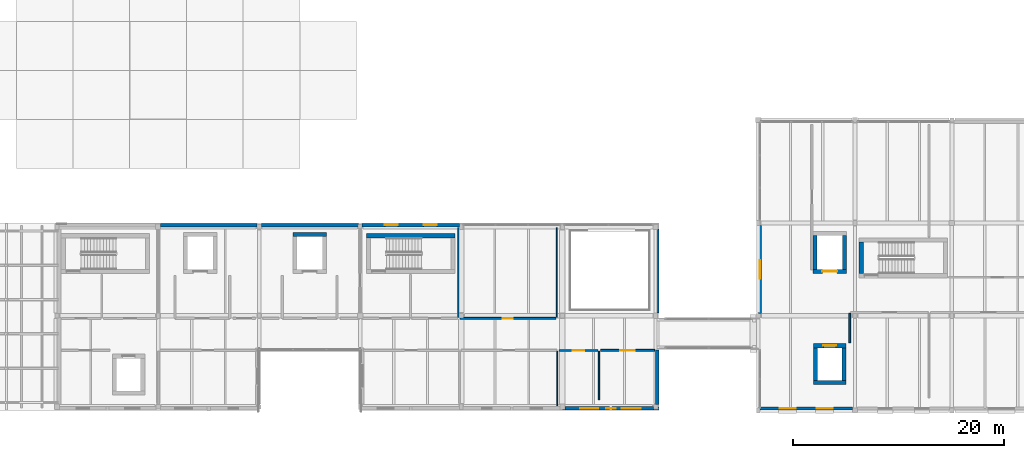
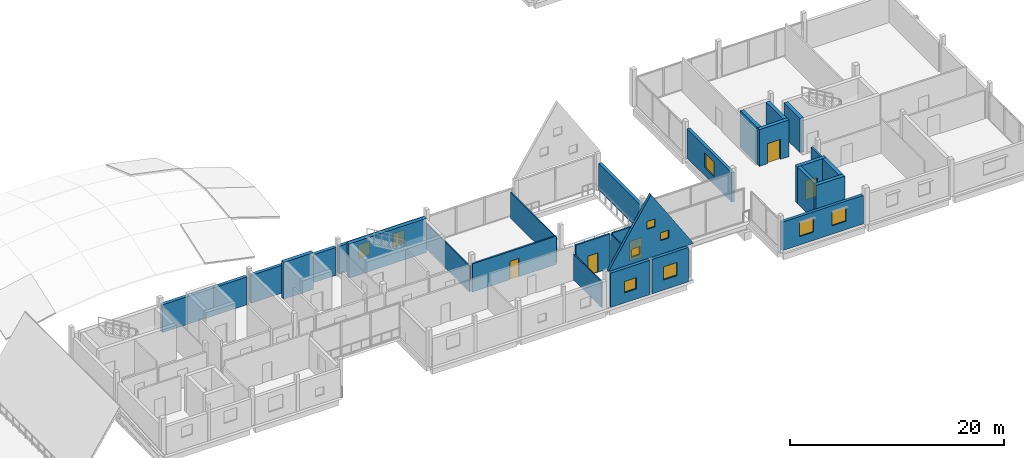
# One storey, part 22 of 35: 28 walls, 10 windows, 5 doors, 15 openings.
"""IFC4 building model written with IfcOpenShell, lengths in metres."""

from ifc_helpers import new_model, si_unit, direction, frame, frame_2d, origin, place, context, subcontext, project, spatial, polyline, rectangle, outline, extrude, material, layer, layer_set, type_object, element, fill, save


model = new_model("IFC4")

# Units and contexts
model_context = context("Model", 3, precision=1e-05, world=origin(), true_north=direction((0.0, 1.0)))
body_context = subcontext(model_context, "Body", "Model", "MODEL_VIEW")
ifc_project = project(units=[si_unit("LENGTHUNIT", "METRE"), si_unit("AREAUNIT", "SQUARE_METRE"), si_unit("VOLUMEUNIT", "CUBIC_METRE"), si_unit("PLANEANGLEUNIT", "RADIAN"), si_unit("MASSUNIT", "GRAM", prefix="KILO")], contexts=[model_context])

# Site, building, storey
site_placement = place(None, origin())
site = spatial("IfcSite", under=ifc_project, at=site_placement, CompositionType="ELEMENT")
building_placement = place(site_placement, origin())
building = spatial("IfcBuilding", under=site, at=building_placement, Name="Birchvale Park Specialist Clinic", CompositionType="ELEMENT")
storey_placement = place(building_placement, frame((0.0, 0.0, 13.800048828125)))
storey = spatial("IfcBuildingStorey", under=building, at=storey_placement, Name="L03", CompositionType="ELEMENT", Elevation=13.800048828125)

# Walls
ifc_material_1 = material(Name="Concrete C40/50", Category="concrete")
ifc_layer_1 = layer(ifc_material_1, 0.39990234375)
ifc_layer_set_1 = layer_set([ifc_layer_1], Name="Concrete C40/50")
wall_type_1 = type_object("IfcWallType", Name="WL-CW-120", PredefinedType="SHEAR", material=ifc_layer_set_1)
wall_1_placement = place(storey_placement, frame((99.199951171875, 33.39990234375, 0.0), z_axis=(0.0, 0.0, 1.0), x_axis=(-1.0, 0.0, 0.0)))
element("IfcWall", 1, at=wall_1_placement, inside=storey, type_object=wall_type_1, Name="L03 stair ST5 EI 120 enclosure wall (north)", PredefinedType="SHEAR", context=body_context, shape_type="SweptSolid", body=[
    extrude(rectangle(XDim=8.39990234375, YDim=0.39990234375, at=frame_2d((4.199951171875, 0.0))), origin(), (0.0, 0.0, 1.0), 3.919921875),
])
wall_2_placement = place(storey_placement, frame((137.800048828125, 29.800048828125, 0.0), z_axis=(0.0, 0.0, 1.0), x_axis=(0.0, 1.0, 0.0)))
element("IfcWall", 2, at=wall_2_placement, inside=storey, type_object=wall_type_1, Name="L03 stair ST6 EI 120 enclosure wall (west)", PredefinedType="SHEAR", context=body_context, shape_type="SweptSolid", body=[
    extrude(rectangle(XDim=3.0, YDim=0.39990234375, at=frame_2d((1.5, 0.0))), origin(), (0.0, 0.0, 1.0), 3.919921875),
])
wall_3_placement = place(storey_placement, frame((87.0, 33.5, 0.0), z_axis=(0.0, 0.0, 1.0), x_axis=(-1.0, 0.0, 0.0)))
element("IfcWall", 3, at=wall_3_placement, inside=storey, type_object=wall_type_1, Name="L03 lift LF2 shaft wall (north)", PredefinedType="SHEAR", context=body_context, shape_type="SweptSolid", body=[
    extrude(rectangle(XDim=3.199951171875, YDim=0.39990234375, at=frame_2d((1.60009765625, 0.0))), origin(), (0.0, 0.0, 1.0), 4.199951171875),
])
wall_4_placement = place(storey_placement, frame((133.25, 19.449951171875, 0.0), z_axis=(0.0, 0.0, 1.0), x_axis=(1.0, 0.0, 0.0)))
element("IfcWall", 4, at=wall_4_placement, inside=storey, type_object=wall_type_1, Name="L03 lift LP4 shaft wall (south)", PredefinedType="SHEAR", context=body_context, shape_type="SweptSolid", body=[
    extrude(rectangle(XDim=3.10009765625, YDim=0.39990234375, at=frame_2d((1.550048828125, 0.0))), origin(), (0.0, 0.0, 1.0), 4.199951171875),
])

# Wall, opening, door
wall_5_placement = place(storey_placement, frame((136.35009765625, 22.949951171875, 0.0), z_axis=(0.0, 0.0, 1.0), x_axis=(-1.0, 0.0, 0.0)))
wall_5 = element("IfcWall", 5, at=wall_5_placement, inside=storey, type_object=wall_type_1, Name="L03 lift LP4 shaft wall (north)", PredefinedType="SHEAR", context=body_context, shape_type="SweptSolid", body=[
    extrude(rectangle(XDim=3.10009765625, YDim=0.39990234375, at=frame_2d((1.550048828125, 0.0))), origin(), (0.0, 0.0, 1.0), 4.199951171875),
])
opening_1_placement = place(wall_5_placement, frame((0.949951171875, 0.0, 0.0)))
opening_1 = element("IfcOpeningElement", 6, at=opening_1_placement, cuts=wall_5, Name="Opening LD-01", PredefinedType="OPENING", context=body_context, shape_type="SweptSolid", body=[
    extrude(rectangle(XDim=1.199951171875, YDim=2.199951171875, at=frame_2d((0.60009765625, 1.10009765625))), frame((0.0, 0.2099609375, 0.0), z_axis=(0.0, -1.0, 0.0), x_axis=(1.0, 0.0, 0.0)), (0.0, 0.0, 1.0), 0.419921875),
])
ifc_material_2 = material(Name="Solid-core birch veneer and anodised aluminium", Category="aluminium")
door_type_1 = type_object("IfcDoorType", Name="DR-LD-01", OperationType="DOUBLE_DOOR_SLIDING", PredefinedType="DOOR", material=ifc_material_2)
door_1_placement = place(opening_1_placement, origin())
door_1 = element("IfcDoor", 7, at=door_1_placement, inside=storey, type_object=door_type_1, Name="L03 lift LP4 sliding landing door", OperationType="DOUBLE_DOOR_SLIDING", OverallHeight=2.199951171875, OverallWidth=1.199951171875, PredefinedType="DOOR", context=body_context, shape_type="SweptSolid", body=[
    extrude(rectangle(XDim=1.199951171875, YDim=2.199951171875, at=frame_2d((0.60009765625, 1.10009765625))), frame((0.0, 0.02490234375, 0.0), z_axis=(0.0, -1.0, 0.0), x_axis=(1.0, 0.0, 0.0)), (0.0, 0.0, 1.0), 0.050048828125),
])
fill(opening_1, door_1)

# Walls
for number, where, z_axis, x_axis, name in (
    (8, (133.449951171875, 19.64990234375, 0.0), (0.0, 0.0, 1.0), (0.0, 1.0, 0.0), "L03 lift LP4 shaft wall (west)"),
    (9, (136.14990234375, 22.75, 0.0), (0.0, 0.0, 1.0), (0.0, -1.0, 0.0), "L03 lift LP4 shaft wall (east)"),
):
    element("IfcWall", number, at=place(storey_placement, frame(where, z_axis=z_axis, x_axis=x_axis)), inside=storey, type_object=wall_type_1, Name=name, PredefinedType="SHEAR", context=body_context, shape_type="SweptSolid", body=[
        extrude(rectangle(XDim=3.10009765625, YDim=0.39990234375, at=frame_2d((1.550048828125, 0.0))), origin(), (0.0, 0.0, 1.0), 4.199951171875),
    ])

# Wall, opening, door
wall_6_placement = place(storey_placement, frame((133.199951171875, 30.0, 0.0), z_axis=(0.0, 0.0, 1.0), x_axis=(1.0, 0.0, 0.0)))
wall_6 = element("IfcWall", 10, at=wall_6_placement, inside=storey, type_object=wall_type_1, Name="L03 lift LS2 shaft wall (south)", PredefinedType="SHEAR", context=body_context, shape_type="SweptSolid", body=[
    extrude(rectangle(XDim=3.199951171875, YDim=0.39990234375, at=frame_2d((1.60009765625, 0.0))), origin(), (0.0, 0.0, 1.0), 4.199951171875),
])
opening_2_placement = place(wall_6_placement, frame((0.89990234375, 0.0, 0.0)))
opening_2 = element("IfcOpeningElement", 11, at=opening_2_placement, cuts=wall_6, Name="Opening LD-03", PredefinedType="OPENING", context=body_context, shape_type="SweptSolid", body=[
    extrude(rectangle(XDim=1.39990234375, YDim=2.300048828125, at=frame_2d((0.699951171875, 1.14990234375))), frame((0.0, 0.2099609375, 0.0), z_axis=(0.0, -1.0, 0.0), x_axis=(1.0, 0.0, 0.0)), (0.0, 0.0, 1.0), 0.419921875),
])
door_type_2 = type_object("IfcDoorType", Name="DR-LD-03", OperationType="DOUBLE_DOOR_SLIDING", PredefinedType="DOOR", material=ifc_material_2)
door_2_placement = place(opening_2_placement, origin())
door_2 = element("IfcDoor", 12, at=door_2_placement, inside=storey, type_object=door_type_2, Name="L03 lift LS2 sliding landing door", OperationType="DOUBLE_DOOR_SLIDING", OverallHeight=2.300048828125, OverallWidth=1.39990234375, PredefinedType="DOOR", context=body_context, shape_type="SweptSolid", body=[
    extrude(rectangle(XDim=1.39990234375, YDim=2.300048828125, at=frame_2d((0.699951171875, 1.14990234375))), frame((0.0, 0.02490234375, 0.0), z_axis=(0.0, -1.0, 0.0), x_axis=(1.0, 0.0, 0.0)), (0.0, 0.0, 1.0), 0.050048828125),
])
fill(opening_2, door_2)

# Walls
for number, where, z_axis, x_axis, name in (
    (13, (133.39990234375, 30.199951171875, 0.0), (0.0, 0.0, 1.0), (0.0, 1.0, 0.0), "L03 lift LS2 shaft wall (west)"),
    (14, (136.199951171875, 33.39990234375, 0.0), (0.0, 0.0, 1.0), (0.0, -1.0, 0.0), "L03 lift LS2 shaft wall (east)"),
):
    element("IfcWall", number, at=place(storey_placement, frame(where, z_axis=z_axis, x_axis=x_axis)), inside=storey, type_object=wall_type_1, Name=name, PredefinedType="SHEAR", context=body_context, shape_type="SweptSolid", body=[
        extrude(rectangle(XDim=3.199951171875, YDim=0.39990234375, at=frame_2d((1.60009765625, 0.0))), origin(), (0.0, 0.0, 1.0), 4.199951171875),
    ])

# Wall, opening, window
ifc_material_3 = material(Name="Lime-white mineral-rendered insulated masonry", Category="masonry")
ifc_layer_2 = layer(ifc_material_3, 0.340087890625)
ifc_layer_set_2 = layer_set([ifc_layer_2], Name="Lime-white mineral-rendered insulated masonry")
wall_type_2 = type_object("IfcWallType", Name="WL-EW-01", PredefinedType="STANDARD", material=ifc_layer_set_2)
wall_7_placement = place(storey_placement, frame((109.635009765625, 16.989990234375, 0.0), z_axis=(0.0, 0.0, 1.0), x_axis=(1.0, 0.0, 0.0)))
wall_7 = element("IfcWall", 15, at=wall_7_placement, inside=storey, type_object=wall_type_2, Name="V4 L03 exterior facade wall 248", PredefinedType="STANDARD", context=body_context, shape_type="SweptSolid", body=[
    extrude(rectangle(XDim=4.25, YDim=0.340087890625, at=frame_2d((2.125, 0.0))), origin(), (0.0, 0.0, 1.0), 3.919921875),
])
opening_3_placement = place(wall_7_placement, frame((1.47509765625, 0.0, 1.14990234375)))
opening_3 = element("IfcOpeningElement", 16, at=opening_3_placement, cuts=wall_7, Name="Opening W-SQ13", PredefinedType="OPENING", context=body_context, shape_type="SweptSolid", body=[
    extrude(rectangle(XDim=1.300048828125, YDim=1.300048828125, at=frame_2d((0.64990234375, 0.64990234375))), frame((0.0, 0.18017578125, 0.0), z_axis=(0.0, -1.0, 0.0), x_axis=(1.0, 0.0, 0.0)), (0.0, 0.0, 1.0), 0.360107421875),
])
ifc_material_4 = material(Name="Solar-control low-E double glazing", Category="glass")
window_type_1 = type_object("IfcWindowType", Name="WIN-W-SQ13", PartitioningType="SINGLE_PANEL", PredefinedType="WINDOW", material=ifc_material_4)
window_1_placement = place(opening_3_placement, origin())
window_1 = element("IfcWindow", 17, at=window_1_placement, inside=storey, type_object=window_type_1, Name="V4 L03 cased window 109", OverallHeight=1.300048828125, OverallWidth=1.300048828125, PartitioningType="SINGLE_PANEL", PredefinedType="WINDOW", context=body_context, shape_type="SweptSolid", body=[
    extrude(rectangle(XDim=1.300048828125, YDim=1.300048828125, at=frame_2d((0.64990234375, 0.64990234375))), frame((0.0, 0.030029296875, 0.0), z_axis=(0.0, -1.0, 0.0), x_axis=(1.0, 0.0, 0.0)), (0.0, 0.0, 1.0), 0.06005859375),
])
fill(opening_3, window_1)

wall_8_placement = place(storey_placement, frame((114.114990234375, 16.989990234375, 0.0), z_axis=(0.0, 0.0, 1.0), x_axis=(1.0, 0.0, 0.0)))
wall_8 = element("IfcWall", 18, at=wall_8_placement, inside=storey, type_object=wall_type_2, Name="V4 L03 exterior facade wall 249", PredefinedType="STANDARD", context=body_context, shape_type="SweptSolid", body=[
    extrude(rectangle(XDim=3.925048828125, YDim=0.340087890625, at=frame_2d((1.96240234375, 0.0))), origin(), (0.0, 0.0, 1.0), 3.919921875),
])
opening_4_placement = place(wall_8_placement, frame((1.21240234375, 0.0, 1.14990234375)))
opening_4 = element("IfcOpeningElement", 19, at=opening_4_placement, cuts=wall_8, Name="Opening W-SQ15", PredefinedType="OPENING", context=body_context, shape_type="SweptSolid", body=[
    extrude(rectangle(XDim=1.5, YDim=1.5, at=frame_2d((0.75, 0.75))), frame((0.0, 0.18017578125, 0.0), z_axis=(0.0, -1.0, 0.0), x_axis=(1.0, 0.0, 0.0)), (0.0, 0.0, 1.0), 0.360107421875),
])
window_type_2 = type_object("IfcWindowType", Name="WIN-W-SQ15", PartitioningType="SINGLE_PANEL", PredefinedType="WINDOW", material=ifc_material_4)
window_2_placement = place(opening_4_placement, origin())
window_2 = element("IfcWindow", 20, at=window_2_placement, inside=storey, type_object=window_type_2, Name="V4 L03 cased window 110", OverallHeight=1.5, OverallWidth=1.5, PartitioningType="SINGLE_PANEL", PredefinedType="WINDOW", context=body_context, shape_type="SweptSolid", body=[
    extrude(rectangle(XDim=1.5, YDim=1.5, at=frame_2d((0.75, 0.75))), frame((0.0, 0.030029296875, 0.0), z_axis=(0.0, -1.0, 0.0), x_axis=(1.0, 0.0, 0.0)), (0.0, 0.0, 1.0), 0.06005859375),
])
fill(opening_4, window_2)

# Walls
wall_9_placement = place(storey_placement, frame((118.409912109375, 17.360107421875, 0.0), z_axis=(0.0, 0.0, 1.0), x_axis=(0.0, 1.0, 0.0)))
element("IfcWall", 21, at=wall_9_placement, inside=storey, type_object=wall_type_2, Name="V4 L03 exterior facade wall 250", PredefinedType="STANDARD", context=body_context, shape_type="SweptSolid", body=[
    extrude(rectangle(XDim=5.18994140625, YDim=0.340087890625, at=frame_2d((2.594970703125, 0.0))), origin(), (0.0, 0.0, 1.0), 3.034912109375),
])
wall_10_placement = place(storey_placement, frame((118.409912109375, 26.054931640625, 0.0), z_axis=(0.0, 0.0, 1.0), x_axis=(0.0, 1.0, 0.0)))
element("IfcWall", 22, at=wall_10_placement, inside=storey, type_object=wall_type_2, Name="V4 L03 exterior facade wall 251", PredefinedType="STANDARD", context=body_context, shape_type="SweptSolid", body=[
    extrude(rectangle(XDim=7.9599609375, YDim=0.340087890625, at=frame_2d((3.97998046875, 0.0))), origin(), (0.0, 0.0, 1.0), 3.034912109375),
])

# Wall, openings, windows
wall_11_placement = place(storey_placement, frame((99.6201171875, 34.409912109375, 0.0), z_axis=(0.0, 0.0, 1.0), x_axis=(-1.0, 0.0, 0.0)))
wall_11 = element("IfcWall", 23, at=wall_11_placement, inside=storey, type_object=wall_type_2, Name="V4 L03 exterior facade wall 252", PredefinedType="STANDARD", context=body_context, shape_type="SweptSolid", body=[
    extrude(rectangle(XDim=9.235107421875, YDim=0.340087890625, at=frame_2d((4.61767578125, 0.0))), origin(), (0.0, 0.0, 1.0), 3.18505859375),
])
opening_5_placement = place(wall_11_placement, frame((2.1455078125, 0.0, 0.949951171875)))
opening_5 = element("IfcOpeningElement", 24, at=opening_5_placement, cuts=wall_11, Name="Opening W-CL14", PredefinedType="OPENING", context=body_context, shape_type="SweptSolid", body=[
    extrude(rectangle(XDim=1.25, YDim=1.550048828125, at=frame_2d((0.625, 0.77490234375))), frame((0.0, 0.18017578125, 0.0), z_axis=(0.0, -1.0, 0.0), x_axis=(1.0, 0.0, 0.0)), (0.0, 0.0, 1.0), 0.360107421875),
])
opening_6_placement = place(wall_11_placement, frame((5.839599609375, 0.0, 0.949951171875)))
opening_6 = element("IfcOpeningElement", 25, at=opening_6_placement, cuts=wall_11, Name="Opening W-CL14", PredefinedType="OPENING", context=body_context, shape_type="SweptSolid", body=[
    extrude(rectangle(XDim=1.25, YDim=1.550048828125, at=frame_2d((0.625, 0.77490234375))), frame((0.0, 0.18017578125, 0.0), z_axis=(0.0, -1.0, 0.0), x_axis=(1.0, 0.0, 0.0)), (0.0, 0.0, 1.0), 0.360107421875),
])
window_type_3 = type_object("IfcWindowType", Name="WIN-W-CL14", PartitioningType="SINGLE_PANEL", PredefinedType="WINDOW", material=ifc_material_4)
window_3_placement = place(opening_5_placement, origin())
window_3 = element("IfcWindow", 26, at=window_3_placement, inside=storey, type_object=window_type_3, Name="V4 L03 cased window 111", OverallHeight=1.550048828125, OverallWidth=1.25, PartitioningType="SINGLE_PANEL", PredefinedType="WINDOW", context=body_context, shape_type="SweptSolid", body=[
    extrude(rectangle(XDim=1.25, YDim=1.550048828125, at=frame_2d((0.625, 0.77490234375))), frame((0.0, 0.030029296875, 0.0), z_axis=(0.0, -1.0, 0.0), x_axis=(1.0, 0.0, 0.0)), (0.0, 0.0, 1.0), 0.06005859375),
])
fill(opening_5, window_3)
window_4_placement = place(opening_6_placement, origin())
window_4 = element("IfcWindow", 27, at=window_4_placement, inside=storey, type_object=window_type_3, Name="V4 L03 cased window 112", OverallHeight=1.550048828125, OverallWidth=1.25, PartitioningType="SINGLE_PANEL", PredefinedType="WINDOW", context=body_context, shape_type="SweptSolid", body=[
    extrude(rectangle(XDim=1.25, YDim=1.550048828125, at=frame_2d((0.625, 0.77490234375))), frame((0.0, 0.030029296875, 0.0), z_axis=(0.0, -1.0, 0.0), x_axis=(1.0, 0.0, 0.0)), (0.0, 0.0, 1.0), 0.06005859375),
])
fill(opening_6, window_4)

# Walls
wall_12_placement = place(storey_placement, frame((90.014892578125, 34.409912109375, 0.0), z_axis=(0.0, 0.0, 1.0), x_axis=(-1.0, 0.0, 0.0)))
element("IfcWall", 28, at=wall_12_placement, inside=storey, type_object=wall_type_2, Name="V4 L03 exterior facade wall 253", PredefinedType="STANDARD", context=body_context, shape_type="SweptSolid", body=[
    extrude(rectangle(XDim=9.204833984375, YDim=0.340087890625, at=frame_2d((4.6025390625, 0.0))), origin(), (0.0, 0.0, 1.0), 3.18505859375),
])
wall_13_placement = place(storey_placement, frame((80.389892578125, 34.409912109375, 0.0), z_axis=(0.0, 0.0, 1.0), x_axis=(-1.0, 0.0, 0.0)))
element("IfcWall", 29, at=wall_13_placement, inside=storey, type_object=wall_type_2, Name="V4 L03 exterior facade wall 254", PredefinedType="STANDARD", context=body_context, shape_type="SweptSolid", body=[
    extrude(rectangle(XDim=9.15478515625, YDim=0.340087890625, at=frame_2d((4.577392578125, 0.0))), origin(), (0.0, 0.0, 1.0), 3.18505859375),
])

# Wall, openings, windows
ifc_layer_3 = layer(ifc_material_3, 0.31005859375)
ifc_layer_set_3 = layer_set([ifc_layer_3], Name="Lime-white mineral-rendered insulated masonry")
wall_type_3 = type_object("IfcWallType", Name="WL-EW-02", PredefinedType="STANDARD", material=ifc_layer_set_3)
wall_14_placement = place(storey_placement, frame((128.169921875, 16.97509765625, 0.0), z_axis=(0.0, 0.0, 1.0), x_axis=(1.0, 0.0, 0.0)))
wall_14 = element("IfcWall", 30, at=wall_14_placement, inside=storey, type_object=wall_type_3, Name="V5 L03 exterior facade wall 258", PredefinedType="STANDARD", context=body_context, shape_type="SweptSolid", body=[
    extrude(rectangle(XDim=8.78515625, YDim=0.31005859375, at=frame_2d((4.392578125, 0.0))), origin(), (0.0, 0.0, 1.0), 3.2548828125),
])
opening_7_placement = place(wall_14_placement, frame((1.885498046875, 0.0, 0.949951171875)))
opening_7 = element("IfcOpeningElement", 31, at=opening_7_placement, cuts=wall_14, Name="Opening W-CL03", PredefinedType="OPENING", context=body_context, shape_type="SweptSolid", body=[
    extrude(rectangle(XDim=1.5, YDim=1.64990234375, at=frame_2d((0.75, 0.824951171875))), frame((0.0, 0.1650390625, 0.0), z_axis=(0.0, -1.0, 0.0), x_axis=(1.0, 0.0, 0.0)), (0.0, 0.0, 1.0), 0.330078125),
])
opening_8_placement = place(wall_14_placement, frame((5.3994140625, 0.0, 0.949951171875)))
opening_8 = element("IfcOpeningElement", 32, at=opening_8_placement, cuts=wall_14, Name="Opening W-CL03", PredefinedType="OPENING", context=body_context, shape_type="SweptSolid", body=[
    extrude(rectangle(XDim=1.5, YDim=1.64990234375, at=frame_2d((0.75, 0.824951171875))), frame((0.0, 0.1650390625, 0.0), z_axis=(0.0, -1.0, 0.0), x_axis=(1.0, 0.0, 0.0)), (0.0, 0.0, 1.0), 0.330078125),
])
window_type_4 = type_object("IfcWindowType", Name="WIN-W-CL03", PartitioningType="SINGLE_PANEL", PredefinedType="WINDOW", material=ifc_material_4)
window_5_placement = place(opening_7_placement, origin())
window_5 = element("IfcWindow", 33, at=window_5_placement, inside=storey, type_object=window_type_4, Name="V5 L03 cased window 113", OverallHeight=1.64990234375, OverallWidth=1.5, PartitioningType="SINGLE_PANEL", PredefinedType="WINDOW", context=body_context, shape_type="SweptSolid", body=[
    extrude(rectangle(XDim=1.5, YDim=1.64990234375, at=frame_2d((0.75, 0.824951171875))), frame((0.0, 0.030029296875, 0.0), z_axis=(0.0, -1.0, 0.0), x_axis=(1.0, 0.0, 0.0)), (0.0, 0.0, 1.0), 0.06005859375),
])
fill(opening_7, window_5)
window_6_placement = place(opening_8_placement, origin())
window_6 = element("IfcWindow", 34, at=window_6_placement, inside=storey, type_object=window_type_4, Name="V5 L03 cased window 114", OverallHeight=1.64990234375, OverallWidth=1.5, PartitioningType="SINGLE_PANEL", PredefinedType="WINDOW", context=body_context, shape_type="SweptSolid", body=[
    extrude(rectangle(XDim=1.5, YDim=1.64990234375, at=frame_2d((0.75, 0.824951171875))), frame((0.0, 0.030029296875, 0.0), z_axis=(0.0, -1.0, 0.0), x_axis=(1.0, 0.0, 0.0)), (0.0, 0.0, 1.0), 0.06005859375),
])
fill(opening_8, window_6)

# Wall, opening, window
wall_15_placement = place(storey_placement, frame((128.175048828125, 34.35498046875, 0.0), z_axis=(0.0, 0.0, 1.0), x_axis=(0.0, -1.0, 0.0)))
wall_15 = element("IfcWall", 35, at=wall_15_placement, inside=storey, type_object=wall_type_3, Name="V5 L03 exterior facade wall 264", PredefinedType="STANDARD", context=body_context, shape_type="SweptSolid", body=[
    extrude(rectangle(XDim=8.3349609375, YDim=0.31005859375, at=frame_2d((4.16748046875, 0.0))), origin(), (0.0, 0.0, 1.0), 3.364990234375),
])
opening_9_placement = place(wall_15_placement, frame((3.29248046875, 0.0, 0.949951171875)))
opening_9 = element("IfcOpeningElement", 36, at=opening_9_placement, cuts=wall_15, Name="Opening W-CL16", PredefinedType="OPENING", context=body_context, shape_type="SweptSolid", body=[
    extrude(rectangle(XDim=1.75, YDim=1.64990234375, at=frame_2d((0.875, 0.824951171875))), frame((0.0, 0.1650390625, 0.0), z_axis=(0.0, -1.0, 0.0), x_axis=(1.0, 0.0, 0.0)), (0.0, 0.0, 1.0), 0.330078125),
])
window_type_5 = type_object("IfcWindowType", Name="WIN-W-CL16", PartitioningType="SINGLE_PANEL", PredefinedType="WINDOW", material=ifc_material_4)
window_7_placement = place(opening_9_placement, origin())
window_7 = element("IfcWindow", 37, at=window_7_placement, inside=storey, type_object=window_type_5, Name="V5 L03 cased window 118", OverallHeight=1.64990234375, OverallWidth=1.75, PartitioningType="SINGLE_PANEL", PredefinedType="WINDOW", context=body_context, shape_type="SweptSolid", body=[
    extrude(rectangle(XDim=1.75, YDim=1.64990234375, at=frame_2d((0.875, 0.824951171875))), frame((0.0, 0.030029296875, 0.0), z_axis=(0.0, -1.0, 0.0), x_axis=(1.0, 0.0, 0.0)), (0.0, 0.0, 1.0), 0.06005859375),
])
fill(opening_9, window_7)

# Wall, openings, windows
wall_16_placement = place(storey_placement, frame((109.39990234375, 16.97509765625, 4.199951171875), z_axis=(0.0, 0.0, 1.0), x_axis=(1.0, 0.0, 0.0)))
wall_16 = element("IfcWall", 38, at=wall_16_placement, inside=storey, type_object=wall_type_3, Name="L04 white house-gable end wall Bay 7 S", PredefinedType="STANDARD", context=body_context, shape_type="SweptSolid", body=[
    extrude(outline(polyline([(0.0, 0.0), (9.2001953125, 0.0), (9.199951171875, 0.0), (4.60009765625, 7.18994140625), (0.0, 0.0), (0.0, 0.0)])), frame((0.0, 0.155029296875, 0.0), z_axis=(0.0, -1.0, 0.0), x_axis=(1.0, 0.0, 0.0)), (0.0, 0.0, 1.0), 0.31005859375),
])
opening_10_placement = place(wall_16_placement, frame((2.493896484375, 0.0, 0.75)))
opening_10 = element("IfcOpeningElement", 39, at=opening_10_placement, cuts=wall_16, Name="Opening W-SQ09", PredefinedType="OPENING", context=body_context, shape_type="SweptSolid", body=[
    extrude(rectangle(XDim=0.89990234375, YDim=0.89990234375, at=frame_2d((0.449951171875, 0.449951171875))), frame((0.0, 0.1650390625, 0.0), z_axis=(0.0, -1.0, 0.0), x_axis=(1.0, 0.0, 0.0)), (0.0, 0.0, 1.0), 0.330078125),
])
opening_11_placement = place(wall_16_placement, frame((5.6220703125, 0.0, 1.550048828125)))
opening_11 = element("IfcOpeningElement", 40, at=opening_11_placement, cuts=wall_16, Name="Opening W-SQ09", PredefinedType="OPENING", context=body_context, shape_type="SweptSolid", body=[
    extrude(rectangle(XDim=0.89990234375, YDim=0.89990234375, at=frame_2d((0.449951171875, 0.449951171875))), frame((0.0, 0.1650390625, 0.0), z_axis=(0.0, -1.0, 0.0), x_axis=(1.0, 0.0, 0.0)), (0.0, 0.0, 1.0), 0.330078125),
])
opening_12_placement = place(wall_16_placement, frame((4.14990234375, 0.0, 3.35009765625)))
opening_12 = element("IfcOpeningElement", 41, at=opening_12_placement, cuts=wall_16, Name="Opening W-SQ09", PredefinedType="OPENING", context=body_context, shape_type="SweptSolid", body=[
    extrude(rectangle(XDim=0.89990234375, YDim=0.89990234375, at=frame_2d((0.449951171875, 0.449951171875))), frame((0.0, 0.1650390625, 0.0), z_axis=(0.0, -1.0, 0.0), x_axis=(1.0, 0.0, 0.0)), (0.0, 0.0, 1.0), 0.330078125),
])
window_type_6 = type_object("IfcWindowType", Name="WIN-W-SQ09", PartitioningType="SINGLE_PANEL", PredefinedType="WINDOW", material=ifc_material_4)
window_8_placement = place(opening_10_placement, origin())
window_8 = element("IfcWindow", 42, at=window_8_placement, inside=storey, type_object=window_type_6, Name="L04 gable square window Bay 7 S.1", OverallHeight=0.89990234375, OverallWidth=0.89990234375, PartitioningType="SINGLE_PANEL", PredefinedType="WINDOW", context=body_context, shape_type="SweptSolid", body=[
    extrude(rectangle(XDim=0.89990234375, YDim=0.89990234375, at=frame_2d((0.449951171875, 0.449951171875))), frame((0.0, 0.030029296875, 0.0), z_axis=(0.0, -1.0, 0.0), x_axis=(1.0, 0.0, 0.0)), (0.0, 0.0, 1.0), 0.06005859375),
])
fill(opening_10, window_8)
window_9_placement = place(opening_11_placement, origin())
window_9 = element("IfcWindow", 43, at=window_9_placement, inside=storey, type_object=window_type_6, Name="L04 gable square window Bay 7 S.2", OverallHeight=0.89990234375, OverallWidth=0.89990234375, PartitioningType="SINGLE_PANEL", PredefinedType="WINDOW", context=body_context, shape_type="SweptSolid", body=[
    extrude(rectangle(XDim=0.89990234375, YDim=0.89990234375, at=frame_2d((0.449951171875, 0.449951171875))), frame((0.0, 0.030029296875, 0.0), z_axis=(0.0, -1.0, 0.0), x_axis=(1.0, 0.0, 0.0)), (0.0, 0.0, 1.0), 0.06005859375),
])
fill(opening_11, window_9)
window_10_placement = place(opening_12_placement, origin())
window_10 = element("IfcWindow", 44, at=window_10_placement, inside=storey, type_object=window_type_6, Name="L04 gable square window Bay 7 S.3", OverallHeight=0.89990234375, OverallWidth=0.89990234375, PartitioningType="SINGLE_PANEL", PredefinedType="WINDOW", context=body_context, shape_type="SweptSolid", body=[
    extrude(rectangle(XDim=0.89990234375, YDim=0.89990234375, at=frame_2d((0.449951171875, 0.449951171875))), frame((0.0, 0.030029296875, 0.0), z_axis=(0.0, -1.0, 0.0), x_axis=(1.0, 0.0, 0.0)), (0.0, 0.0, 1.0), 0.06005859375),
])
fill(opening_12, window_10)

# Walls
ifc_material_5 = material(Name="Acoustic gypsum board on metal framing")
ifc_layer_4 = layer(ifc_material_5, 0.125)
ifc_layer_set_4 = layer_set([ifc_layer_4], Name="Acoustic gypsum board on metal framing")
wall_type_4 = type_object("IfcWallType", Name="WL-IW-04", PredefinedType="PARTITIONING", material=ifc_layer_set_4)
wall_17_placement = place(storey_placement, frame((99.52001953125, 34.159912109375, 0.0), z_axis=(0.0, 0.0, 1.0), x_axis=(0.0, -1.0, 0.0)))
element("IfcWall", 45, at=wall_17_placement, inside=storey, type_object=wall_type_4, Name="V4 L03 clinical partition 521", PredefinedType="PARTITIONING", context=body_context, shape_type="SweptSolid", body=[
    extrude(rectangle(XDim=8.530029296875, YDim=0.125, at=frame_2d((4.26513671875, 0.0))), origin(), (0.0, 0.0, 1.0), 2.96484375),
])
ifc_layer_5 = layer(ifc_material_5, 0.114990234375)
ifc_layer_set_5 = layer_set([ifc_layer_5], Name="Acoustic gypsum board on metal framing")
wall_type_5 = type_object("IfcWallType", Name="WL-IW-05", PredefinedType="PARTITIONING", material=ifc_layer_set_5)
wall_18_placement = place(storey_placement, frame((108.9267578125, 22.419921875, 0.0), z_axis=(0.0, 0.0, 1.0), x_axis=(0.0, -1.0, 0.0)))
element("IfcWall", 46, at=wall_18_placement, inside=storey, type_object=wall_type_5, Name="V4 L03 clinical partition 507", PredefinedType="PARTITIONING", context=body_context, shape_type="SweptSolid", body=[
    extrude(rectangle(XDim=5.179931640625, YDim=0.114990234375, at=frame_2d((2.58984375, 0.0))), origin(), (0.0, 0.0, 1.0), 2.96484375),
])
wall_19_placement = place(storey_placement, frame((112.884765625, 22.419921875, 0.0), z_axis=(0.0, 0.0, 1.0), x_axis=(0.0, -1.0, 0.0)))
element("IfcWall", 47, at=wall_19_placement, inside=storey, type_object=wall_type_5, Name="V4 L03 clinical partition 508", PredefinedType="PARTITIONING", context=body_context, shape_type="SweptSolid", body=[
    extrude(rectangle(XDim=4.594970703125, YDim=0.114990234375, at=frame_2d((2.29736328125, 0.0))), origin(), (0.0, 0.0, 1.0), 3.919921875),
])
ifc_layer_6 = layer(ifc_material_5, 0.10009765625)
ifc_layer_set_6 = layer_set([ifc_layer_6], Name="Acoustic gypsum board on metal framing")
wall_type_6 = type_object("IfcWallType", Name="WL-IW-06", PredefinedType="PARTITIONING", material=ifc_layer_set_6)
wall_20_placement = place(storey_placement, frame((108.860107421875, 34.159912109375, 0.0), z_axis=(0.0, 0.0, 1.0), x_axis=(0.0, -1.0, 0.0)))
element("IfcWall", 48, at=wall_20_placement, inside=storey, type_object=wall_type_6, Name="V4 L03 clinical partition 523", PredefinedType="PARTITIONING", context=body_context, shape_type="SweptSolid", body=[
    extrude(rectangle(XDim=8.530029296875, YDim=0.10009765625, at=frame_2d((4.26513671875, 0.0))), origin(), (0.0, 0.0, 1.0), 2.96484375),
])

# Wall, opening, door
ifc_layer_7 = layer(ifc_material_5, 0.179931640625)
ifc_layer_set_7 = layer_set([ifc_layer_7], Name="Acoustic gypsum board on metal framing")
wall_type_7 = type_object("IfcWallType", Name="WL-IW-60", PredefinedType="PARTITIONING", material=ifc_layer_set_7)
wall_21_placement = place(storey_placement, frame((109.086669921875, 22.5, 0.0), z_axis=(0.0, 0.0, 1.0), x_axis=(1.0, 0.0, 0.0)))
wall_21 = element("IfcWall", 49, at=wall_21_placement, inside=storey, type_object=wall_type_7, Name="V4 L03 clinical partition 509", PredefinedType="PARTITIONING", context=body_context, shape_type="SweptSolid", body=[
    extrude(rectangle(XDim=3.718017578125, YDim=0.179931640625, at=frame_2d((1.85888671875, 0.0))), origin(), (0.0, 0.0, 1.0), 3.919921875),
])
opening_13_placement = place(wall_21_placement, frame((1.319091796875, 0.0, 0.0)))
opening_13 = element("IfcOpeningElement", 50, at=opening_13_placement, cuts=wall_21, Name="Opening ID-03", PredefinedType="OPENING", context=body_context, shape_type="SweptSolid", body=[
    extrude(rectangle(XDim=1.080078125, YDim=2.199951171875, at=frame_2d((0.5400390625, 1.10009765625))), frame((0.0, 0.10009765625, 0.0), z_axis=(0.0, -1.0, 0.0), x_axis=(1.0, 0.0, 0.0)), (0.0, 0.0, 1.0), 0.199951171875),
])
door_type_3 = type_object("IfcDoorType", Name="DR-ID-03", OperationType="NOTDEFINED", PredefinedType="DOOR", material=ifc_material_2)
door_3_placement = place(opening_13_placement, origin())
door_3 = element("IfcDoor", 51, at=door_3_placement, inside=storey, type_object=door_type_3, Name="L03 Accessible Patient WC door", OperationType="SINGLE_SWING_LEFT", OverallHeight=2.199951171875, OverallWidth=1.080078125, PredefinedType="DOOR", context=body_context, shape_type="SweptSolid", body=[
    extrude(rectangle(XDim=1.080078125, YDim=2.199951171875, at=frame_2d((0.5400390625, 1.10009765625))), frame((0.0, 0.02490234375, 0.0), z_axis=(0.0, -1.0, 0.0), x_axis=(1.0, 0.0, 0.0)), (0.0, 0.0, 1.0), 0.050048828125),
])
fill(opening_13, door_3)

wall_22_placement = place(storey_placement, frame((113.044677734375, 22.5, 0.0), z_axis=(0.0, 0.0, 1.0), x_axis=(1.0, 0.0, 0.0)))
wall_22 = element("IfcWall", 52, at=wall_22_placement, inside=storey, type_object=wall_type_7, Name="V4 L03 clinical partition 510", PredefinedType="PARTITIONING", context=body_context, shape_type="SweptSolid", body=[
    extrude(rectangle(XDim=5.115234375, YDim=0.179931640625, at=frame_2d((2.5576171875, 0.0))), origin(), (0.0, 0.0, 1.0), 3.919921875),
])
opening_14_placement = place(wall_22_placement, frame((1.86767578125, 0.0, 0.0)))
opening_14 = element("IfcOpeningElement", 53, at=opening_14_placement, cuts=wall_22, Name="Opening ID-06", PredefinedType="OPENING", context=body_context, shape_type="SweptSolid", body=[
    extrude(rectangle(XDim=1.3798828125, YDim=2.25, at=frame_2d((0.68994140625, 1.125))), frame((0.0, 0.10009765625, 0.0), z_axis=(0.0, -1.0, 0.0), x_axis=(1.0, 0.0, 0.0)), (0.0, 0.0, 1.0), 0.199951171875),
])
door_type_4 = type_object("IfcDoorType", Name="DR-ID-06", OperationType="NOTDEFINED", PredefinedType="DOOR", material=ifc_material_2)
door_4_placement = place(opening_14_placement, origin())
door_4 = element("IfcDoor", 54, at=door_4_placement, inside=storey, type_object=door_type_4, Name="L03 Ophthalmology Outpatient Clinic door", OperationType="SINGLE_SWING_RIGHT", OverallHeight=2.25, OverallWidth=1.3798828125, PredefinedType="DOOR", context=body_context, shape_type="SweptSolid", body=[
    extrude(rectangle(XDim=1.3798828125, YDim=2.25, at=frame_2d((0.68994140625, 1.125))), frame((0.0, 0.02490234375, 0.0), z_axis=(0.0, -1.0, 0.0), x_axis=(1.0, 0.0, 0.0)), (0.0, 0.0, 1.0), 0.050048828125),
])
fill(opening_14, door_4)

wall_23_placement = place(storey_placement, frame((108.780029296875, 25.550048828125, 0.0), z_axis=(0.0, 0.0, 1.0), x_axis=(-1.0, 0.0, 0.0)))
wall_23 = element("IfcWall", 55, at=wall_23_placement, inside=storey, type_object=wall_type_7, Name="V4 L03 clinical partition 524", PredefinedType="PARTITIONING", context=body_context, shape_type="SweptSolid", body=[
    extrude(rectangle(XDim=9.10009765625, YDim=0.179931640625, at=frame_2d((4.550048828125, 0.0))), origin(), (0.0, 0.0, 1.0), 3.224853515625),
])
opening_15_placement = place(wall_23_placement, frame((4.070068359375, 0.0, 0.0)))
opening_15 = element("IfcOpeningElement", 56, at=opening_15_placement, cuts=wall_23, Name="Opening ID-04", PredefinedType="OPENING", context=body_context, shape_type="SweptSolid", body=[
    extrude(rectangle(XDim=0.9599609375, YDim=2.10009765625, at=frame_2d((0.47998046875, 1.050048828125))), frame((0.0, 0.10009765625, 0.0), z_axis=(0.0, -1.0, 0.0), x_axis=(1.0, 0.0, 0.0)), (0.0, 0.0, 1.0), 0.199951171875),
])
door_type_5 = type_object("IfcDoorType", Name="DR-ID-04", OperationType="NOTDEFINED", PredefinedType="DOOR", material=ifc_material_2)
door_5_placement = place(opening_15_placement, origin())
door_5 = element("IfcDoor", 57, at=door_5_placement, inside=storey, type_object=door_type_5, Name="L03 Low-Vision Examination Suite door", OperationType="SINGLE_SWING_LEFT", OverallHeight=2.10009765625, OverallWidth=0.9599609375, PredefinedType="DOOR", context=body_context, shape_type="SweptSolid", body=[
    extrude(rectangle(XDim=0.9599609375, YDim=2.10009765625, at=frame_2d((0.47998046875, 1.050048828125))), frame((0.0, 0.02490234375, 0.0), z_axis=(0.0, -1.0, 0.0), x_axis=(1.0, 0.0, 0.0)), (0.0, 0.0, 1.0), 0.050048828125),
])
fill(opening_15, door_5)

# Wall
wall_24_placement = place(storey_placement, frame((136.699951171875, 23.22998046875, 0.0), z_axis=(0.0, 0.0, 1.0), x_axis=(0.0, 1.0, 0.0)))
element("IfcWall", 58, at=wall_24_placement, inside=storey, type_object=wall_type_7, Name="V5 L03 clinical partition 525", PredefinedType="PARTITIONING", context=body_context, shape_type="SweptSolid", body=[
    extrude(rectangle(XDim=2.7900390625, YDim=0.179931640625, at=frame_2d((1.39501953125, 0.0))), origin(), (0.0, 0.0, 1.0), 3.304931640625),
])

save(model, "model.ifc")
